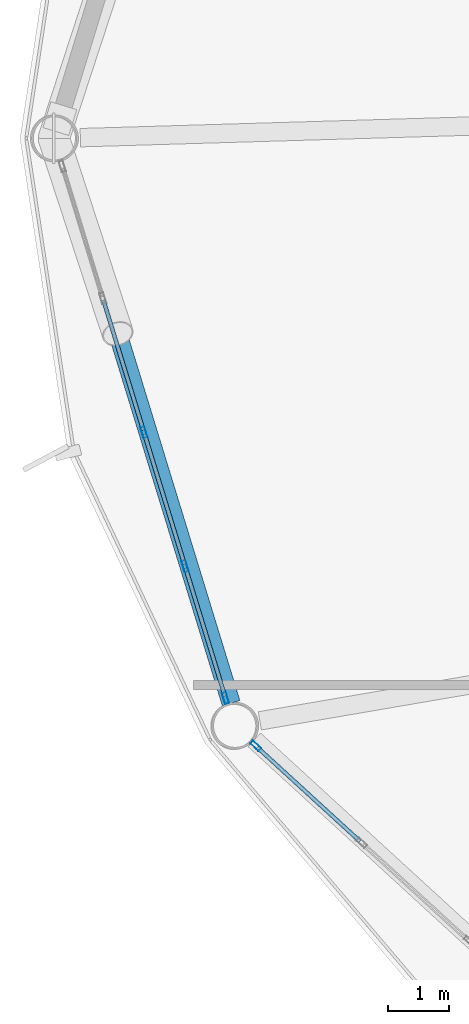
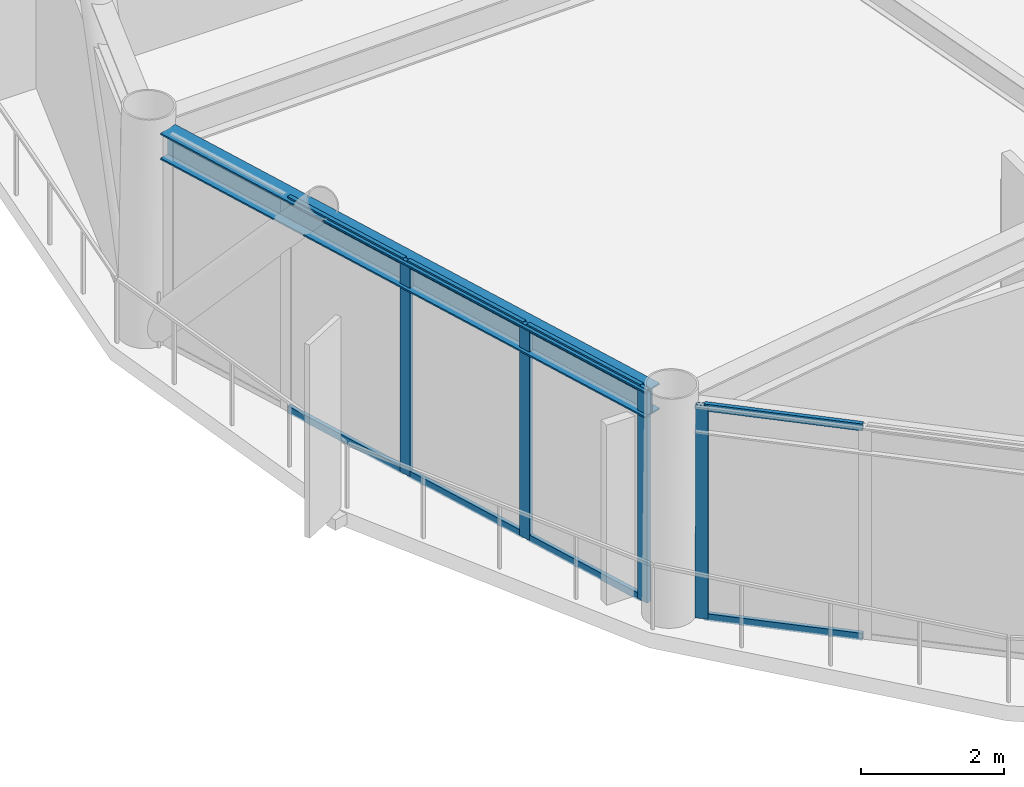
# One storey, part 5 of 27: 12 members, 1 beam, 2 elements without a shape of their own.
"""IFC4 building model written with IfcOpenShell, lengths in metres."""

from ifc_helpers import new_model, si_unit, direction, frame, origin, origin_2d, place, context, subcontext, project, spatial, hollow_rectangle, i_section, extrude, material, layer, layer_set, material_profile, profile_set, type_object, element, aggregate, save


model = new_model("IFC4")

# Units and contexts
model_context = context("Model", 3, precision=1e-05, world=origin(), true_north=direction((0.0, 1.0)))
body_context = subcontext(model_context, "Body", "Model", "MODEL_VIEW")
ifc_project = project(units=[si_unit("LENGTHUNIT", "METRE"), si_unit("AREAUNIT", "SQUARE_METRE"), si_unit("VOLUMEUNIT", "CUBIC_METRE"), si_unit("PLANEANGLEUNIT", "RADIAN"), si_unit("MASSUNIT", "GRAM", prefix="KILO")], contexts=[model_context])

# Site, building, storey
site_placement = place(None, origin())
site = spatial("IfcSite", under=ifc_project, at=site_placement, CompositionType="ELEMENT")
building_placement = place(site_placement, origin())
building = spatial("IfcBuilding", under=site, at=building_placement, Name="Varnakorn Sky Granary", CompositionType="ELEMENT")
storey_placement = place(building_placement, frame((0.0, 0.0, 134.39990234375)))
storey = spatial("IfcBuildingStorey", under=building, at=storey_placement, Name="L33", CompositionType="ELEMENT", Elevation=134.39990234375)

# Beam
ifc_material_1 = material(Name="Steel S355JR", Category="steel")
ifc_material_profile_1 = material_profile(ifc_material_1, i_section(OverallWidth=0.300048828125, OverallDepth=0.449951171875, WebThickness=0.013916015625, FlangeThickness=0.02587890625, at=origin_2d()), Name="HE 450 B")
ifc_profile_set_1 = profile_set([ifc_material_profile_1], Name="Steel S355JR")
beam_type = type_object("IfcBeamType", Name="BM-SPD-Z3", PredefinedType="SPANDREL", material=ifc_profile_set_1)
beam_placement = place(storey_placement, frame((-22.375732421875, -0.349853515625, 3.4150390625), z_axis=(0.293208925208, -0.956048391128, 0.0), x_axis=(0.956048391128, 0.293208925208, 0.0)))
element("IfcBeam", 1, at=beam_placement, inside=storey, type_object=beam_type, Name="Perimeter Spandrel Ring Beam RB07 L33", PredefinedType="SPANDREL", context=body_context, shape_type="SweptSolid", body=[
    extrude(i_section(OverallWidth=0.300048828125, OverallDepth=0.449951171875, WebThickness=0.013916015625, FlangeThickness=0.02587890625, at=origin_2d()), origin(), (0.0, 0.0, 1.0), 9.2548828125),
])

# Curtain wall, members
ifc_material_2 = material(Name="Anodised Bronze Aluminium Alloy 6063-T6", Category="aluminium")
ifc_layer = layer(ifc_material_2, 0.179931640625, Name="Anodised Bronze Aluminium Alloy 6063-T6")
ifc_layer_set = layer_set([ifc_layer], Name="Anodised Bronze Aluminium Alloy 6063-T6")
curtain_wall_type = type_object("IfcCurtainWallType", Name="CW-FRM-2", PredefinedType="USERDEFINED", material=ifc_layer_set)
curtain_wall_1_placement = place(storey_placement, origin())
curtain_wall_1 = element("IfcCurtainWall", 2, at=curtain_wall_1_placement, inside=storey, type_object=curtain_wall_type, Name="Unitised Curtain Wall CW4 CW-L33-B07", ObjectType="CURTAIN WALL", PredefinedType="USERDEFINED")
ifc_material_profile_2 = material_profile(ifc_material_2, hollow_rectangle(XDim=0.070068359375, YDim=0.18505859375, WallThickness=0.00390625, at=origin_2d()), Name="ALU MULL 70x185")
ifc_profile_set_2 = profile_set([ifc_material_profile_2], Name="Anodised Bronze Aluminium Alloy 6063-T6")
member_type_1 = type_object("IfcMemberType", Name="CW-FRM-2-MULL", PredefinedType="MULLION", material=ifc_profile_set_2)
member_1_placement = place(storey_placement, frame((-19.752685546875, -9.116943359375, 0.0), z_axis=(0.0, 0.0, 1.0), x_axis=(-0.956009129226, -0.293336913524, 0.0)))
member_1 = element("IfcMember", 3, at=member_1_placement, type_object=member_type_1, Name="CW4 mullion 1", PredefinedType="MULLION", context=body_context, shape_type="SweptSolid", body=[
    extrude(hollow_rectangle(XDim=0.070068359375, YDim=0.18505859375, WallThickness=0.00390625, at=origin_2d()), origin(), (0.0, 0.0, 1.0), 3.64013671875),
])
member_2_placement = place(storey_placement, frame((-20.411865234375, -6.96826171875, 0.0), z_axis=(0.0, 0.0, 1.0), x_axis=(-0.956009129226, -0.293336913524, 0.0)))
member_2 = element("IfcMember", 4, at=member_2_placement, type_object=member_type_1, Name="CW4 mullion 2", PredefinedType="MULLION", context=body_context, shape_type="SweptSolid", body=[
    extrude(hollow_rectangle(XDim=0.070068359375, YDim=0.18505859375, WallThickness=0.00390625, at=origin_2d()), origin(), (0.0, 0.0, 1.0), 3.64013671875),
])
member_3_placement = place(storey_placement, frame((-21.08154296875, -4.785888671875, 0.0), z_axis=(0.0, 0.0, 1.0), x_axis=(-0.956009129226, -0.293336913524, 0.0)))
member_3 = element("IfcMember", 5, at=member_3_placement, type_object=member_type_1, Name="CW4 mullion 3", PredefinedType="MULLION", context=body_context, shape_type="SweptSolid", body=[
    extrude(hollow_rectangle(XDim=0.070068359375, YDim=0.18505859375, WallThickness=0.00390625, at=origin_2d()), origin(), (0.0, 0.0, 1.0), 3.64013671875),
])

# Curtain wall, member
curtain_wall_2_placement = place(storey_placement, origin())
curtain_wall_2 = element("IfcCurtainWall", 6, at=curtain_wall_2_placement, inside=storey, type_object=curtain_wall_type, Name="Unitised Curtain Wall CW4 CW-L33-B08", ObjectType="CURTAIN WALL", PredefinedType="USERDEFINED")
member_4_placement = place(storey_placement, frame((-19.26171875, -9.893310546875, 0.0), z_axis=(0.0, 0.0, 1.0), x_axis=(-0.675182733871, -0.737650510664, 0.0)))
member_4 = element("IfcMember", 7, at=member_4_placement, type_object=member_type_1, Name="CW4 mullion 5", PredefinedType="MULLION", context=body_context, shape_type="SweptSolid", body=[
    extrude(hollow_rectangle(XDim=0.070068359375, YDim=0.18505859375, WallThickness=0.00390625, at=origin_2d()), origin(), (0.0, 0.0, 1.0), 3.64013671875),
])

# Member
ifc_material_profile_3 = material_profile(ifc_material_2, hollow_rectangle(XDim=0.06494140625, YDim=0.1201171875, WallThickness=0.00341796875, at=origin_2d()), Name="ALU TRAN 65x120")
ifc_profile_set_3 = profile_set([ifc_material_profile_3], Name="Anodised Bronze Aluminium Alloy 6063-T6")
member_type_2 = type_object("IfcMemberType", Name="CW-FRM-2-TRAN", PredefinedType="USERDEFINED", material=ifc_profile_set_3)
member_5_placement = place(storey_placement, frame((-19.762939453125, -9.08349609375, 0.03271484375), z_axis=(-0.293297900198, 0.956021099003, 0.0), x_axis=(-0.956021099003, -0.293297900198, 0.0)))
member_5 = element("IfcMember", 8, at=member_5_placement, type_object=member_type_2, Name="CW4 transom 1.1", ObjectType="TRANSOM", PredefinedType="USERDEFINED", context=body_context, shape_type="SweptSolid", body=[
    extrude(hollow_rectangle(XDim=0.06494140625, YDim=0.1201171875, WallThickness=0.00341796875, at=origin_2d()), origin(), (0.0, 0.0, 1.0), 2.177490234375),
])

member_6_placement = place(storey_placement, frame((-19.762939453125, -9.08349609375, 3.607666015625), z_axis=(-0.293297900198, 0.956021099003, 0.0), x_axis=(-0.956021099003, -0.293297900198, 0.0)))
member_6 = element("IfcMember", 9, at=member_6_placement, type_object=member_type_2, Name="CW4 transom 1.2", ObjectType="TRANSOM", PredefinedType="USERDEFINED", context=body_context, shape_type="SweptSolid", body=[
    extrude(hollow_rectangle(XDim=0.06494140625, YDim=0.1201171875, WallThickness=0.00341796875, at=origin_2d()), origin(), (0.0, 0.0, 1.0), 2.177490234375),
])

member_7_placement = place(storey_placement, frame((-20.422119140625, -6.934814453125, 0.03271484375), z_axis=(-0.293395696013, 0.955991090733, 0.0), x_axis=(-0.955991090733, -0.293395696013, 0.0)))
member_7 = element("IfcMember", 10, at=member_7_placement, type_object=member_type_2, Name="CW4 transom 2.1", ObjectType="TRANSOM", PredefinedType="USERDEFINED", context=body_context, shape_type="SweptSolid", body=[
    extrude(hollow_rectangle(XDim=0.06494140625, YDim=0.1201171875, WallThickness=0.00341796875, at=origin_2d()), origin(), (0.0, 0.0, 1.0), 2.212646484375),
])

member_8_placement = place(storey_placement, frame((-20.422119140625, -6.934814453125, 3.607666015625), z_axis=(-0.293395696013, 0.955991090733, 0.0), x_axis=(-0.955991090733, -0.293395696013, 0.0)))
member_8 = element("IfcMember", 11, at=member_8_placement, type_object=member_type_2, Name="CW4 transom 2.2", ObjectType="TRANSOM", PredefinedType="USERDEFINED", context=body_context, shape_type="SweptSolid", body=[
    extrude(hollow_rectangle(XDim=0.06494140625, YDim=0.1201171875, WallThickness=0.00341796875, at=origin_2d()), origin(), (0.0, 0.0, 1.0), 2.212646484375),
])

member_9_placement = place(storey_placement, frame((-21.091796875, -4.75244140625, 0.03271484375), z_axis=(-0.293294848736, 0.956022035157, 0.0), x_axis=(-0.956022035157, -0.293294848736, 0.0)))
member_9 = element("IfcMember", 12, at=member_9_placement, type_object=member_type_2, Name="CW4 transom 3.1", ObjectType="TRANSOM", PredefinedType="USERDEFINED", context=body_context, shape_type="SweptSolid", body=[
    extrude(hollow_rectangle(XDim=0.06494140625, YDim=0.1201171875, WallThickness=0.00341796875, at=origin_2d()), origin(), (0.0, 0.0, 1.0), 2.212646484375),
])

member_10_placement = place(storey_placement, frame((-21.091796875, -4.75244140625, 3.607666015625), z_axis=(-0.293294848736, 0.956022035157, 0.0), x_axis=(-0.956022035157, -0.293294848736, 0.0)))
member_10 = element("IfcMember", 13, at=member_10_placement, type_object=member_type_2, Name="CW4 transom 3.2", ObjectType="TRANSOM", PredefinedType="USERDEFINED", context=body_context, shape_type="SweptSolid", body=[
    extrude(hollow_rectangle(XDim=0.06494140625, YDim=0.1201171875, WallThickness=0.00341796875, at=origin_2d()), origin(), (0.0, 0.0, 1.0), 2.212646484375),
])

aggregate(curtain_wall_1, [member_1, member_2, member_3, member_5, member_6, member_7, member_8, member_9, member_10])

member_11_placement = place(storey_placement, frame((-17.562255859375, -11.448974609375, 0.03271484375), z_axis=(-0.737672004094, 0.675159251122, 0.0), x_axis=(-0.675159251122, -0.737672004094, 0.0)))
member_11 = element("IfcMember", 14, at=member_11_placement, type_object=member_type_2, Name="CW4 transom 4.1", ObjectType="TRANSOM", PredefinedType="USERDEFINED", context=body_context, shape_type="SweptSolid", body=[
    extrude(hollow_rectangle(XDim=0.06494140625, YDim=0.1201171875, WallThickness=0.00341796875, at=origin_2d()), origin(), (0.0, 0.0, 1.0), 2.26904296875),
])

member_12_placement = place(storey_placement, frame((-17.562255859375, -11.448974609375, 3.607666015625), z_axis=(-0.737672004094, 0.675159251122, 0.0), x_axis=(-0.675159251122, -0.737672004094, 0.0)))
member_12 = element("IfcMember", 15, at=member_12_placement, type_object=member_type_2, Name="CW4 transom 4.2", ObjectType="TRANSOM", PredefinedType="USERDEFINED", context=body_context, shape_type="SweptSolid", body=[
    extrude(hollow_rectangle(XDim=0.06494140625, YDim=0.1201171875, WallThickness=0.00341796875, at=origin_2d()), origin(), (0.0, 0.0, 1.0), 2.26904296875),
])

aggregate(curtain_wall_2, [member_4, member_11, member_12])

save(model, "model.ifc")
